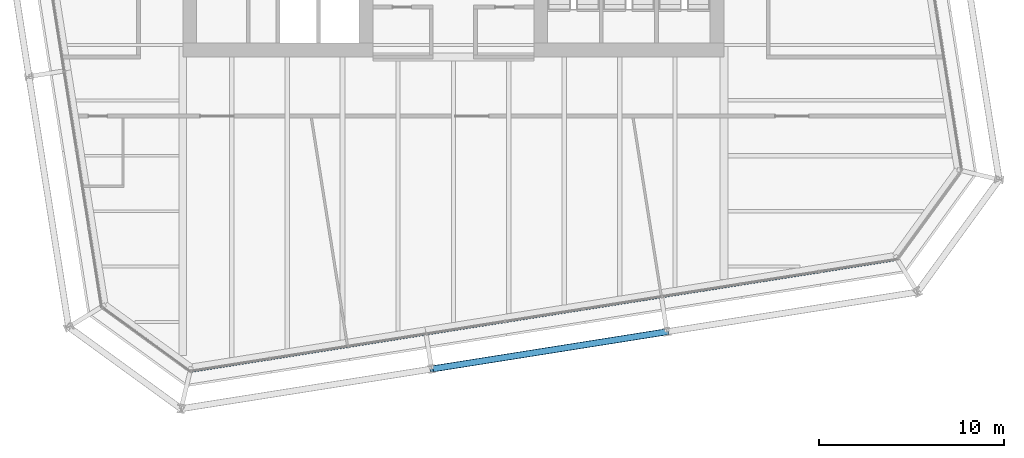
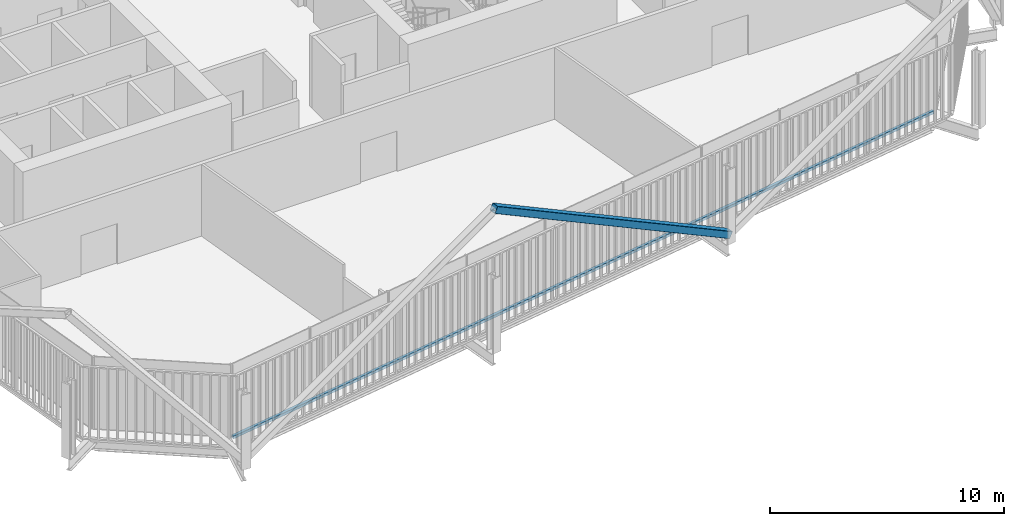
# One storey, part 7 of 22: 2 members, 1 element without a shape of its own.
"""IFC4 building model written with IfcOpenShell, lengths in metres."""

from ifc_helpers import new_model, si_unit, direction, frame, origin, origin_2d, place, context, subcontext, project, spatial, rectangle, hollow_rectangle, extrude, material, layer, layer_set, material_profile, profile_set, type_object, element, aggregate, save


model = new_model("IFC4")

# Units and contexts
model_context = context("Model", 3, precision=1e-05, world=origin(), true_north=direction((0.0, 1.0)))
body_context = subcontext(model_context, "Body", "Model", "MODEL_VIEW")
ifc_project = project(units=[si_unit("LENGTHUNIT", "METRE"), si_unit("AREAUNIT", "SQUARE_METRE"), si_unit("VOLUMEUNIT", "CUBIC_METRE"), si_unit("PLANEANGLEUNIT", "RADIAN"), si_unit("MASSUNIT", "GRAM", prefix="KILO")], contexts=[model_context])

# Site, building, storey
site_placement = place(None, origin())
site = spatial("IfcSite", under=ifc_project, at=site_placement, CompositionType="ELEMENT")
building_placement = place(site_placement, origin())
building = spatial("IfcBuilding", under=site, at=building_placement, Name="Millrace Tower", CompositionType="ELEMENT")
storey_placement = place(building_placement, frame((0.0, 0.0, 137.300048828125)))
storey = spatial("IfcBuildingStorey", under=building, at=storey_placement, Name="L30", CompositionType="ELEMENT", Elevation=137.300048828125)

# Curtain wall, member
ifc_material_1 = material(Name="Aluminium and glass", Category="aluminium")
ifc_layer = layer(ifc_material_1, 0.14990234375)
ifc_layer_set = layer_set([ifc_layer], Name="Aluminium and glass")
curtain_wall_type = type_object("IfcCurtainWallType", Name="CW-1 office vision curtain wall", PredefinedType="NOTDEFINED", material=ifc_layer_set)
curtain_wall_placement = place(storey_placement, origin())
curtain_wall = element("IfcCurtainWall", 1, at=curtain_wall_placement, inside=storey, type_object=curtain_wall_type, Name="Curtain wall C-F02 L30", PredefinedType="NOTDEFINED")
ifc_material_2 = material(Name="Aluminium", Category="aluminium")
ifc_material_profile_1 = material_profile(ifc_material_2, rectangle(XDim=0.14990234375, YDim=0.139892578125, at=origin_2d()))
ifc_profile_set_1 = profile_set([ifc_material_profile_1], Name="Aluminium")
member_type_1 = type_object("IfcMemberType", Name="CW-1 office vision curtain wall transom", PredefinedType="USERDEFINED", material=ifc_profile_set_1)
member_1_placement = place(storey_placement, frame((-14.125, -26.64599609375, 0.070068359375), z_axis=(0.987688350509, 0.156434402447, 0.0), x_axis=(-0.156434402447, 0.987688350509, 0.0)))
member_1 = element("IfcMember", 2, at=member_1_placement, type_object=member_type_1, Name="CW1 transom C-F02.1", ObjectType="TRANSOM", PredefinedType="USERDEFINED", context=body_context, shape_type="SweptSolid", body=[
    extrude(rectangle(XDim=0.14990234375, YDim=0.139892578125, at=origin_2d()), origin(), (0.0, 0.0, 1.0), 38.499755859375),
])
aggregate(curtain_wall, [member_1])

# Member
ifc_material_3 = material(Name="Steel ASTM A500 Grade C", Category="steel")
ifc_material_profile_2 = material_profile(ifc_material_3, hollow_rectangle(XDim=0.355712890625, YDim=0.355712890625, WallThickness=0.015869140625, InnerFilletRadius=0.008056640625, OuterFilletRadius=0.02392578125, at=origin_2d()))
ifc_profile_set_2 = profile_set([ifc_material_profile_2], Name="Steel ASTM A500 Grade C")
member_type_2 = type_object("IfcMemberType", Name="Exoskeleton brace HSS14x14x5/8", PredefinedType="BRACE", material=ifc_profile_set_2)
member_2_placement = place(storey_placement, frame((11.5595703125, -24.527099609375, 0.39990234375), z_axis=(-0.868109818913, -0.137501595477, 0.476947223022), x_axis=(0.156441687909, -0.987687196578, 0.0)))
element("IfcMember", 3, at=member_2_placement, inside=storey, type_object=member_type_2, Name="BRC-C-L30-03", PredefinedType="BRACE", context=body_context, shape_type="SweptSolid", body=[
    extrude(hollow_rectangle(XDim=0.355712890625, YDim=0.355712890625, WallThickness=0.015869140625, InnerFilletRadius=0.008056640625, OuterFilletRadius=0.02392578125, at=origin_2d()), origin(), (0.0, 0.0, 1.0), 14.6767578125),
])

save(model, "model.ifc")
